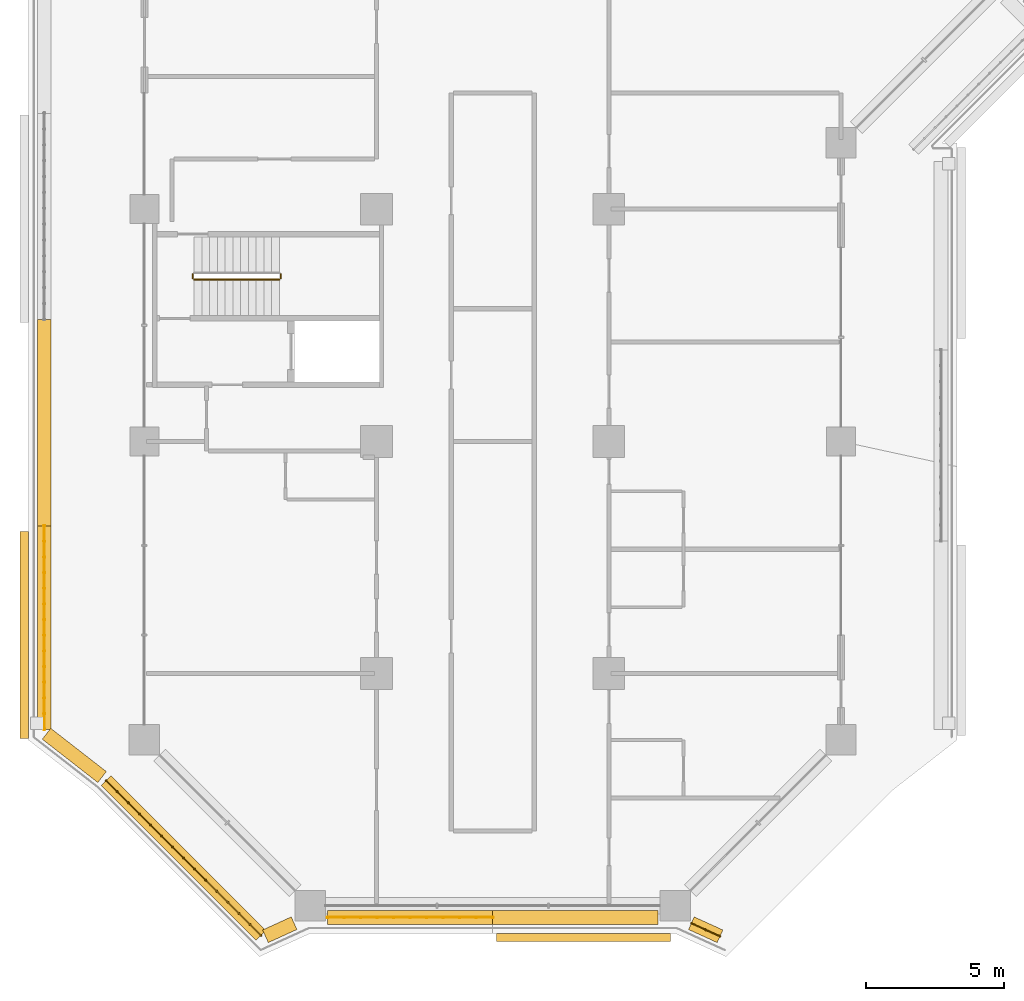
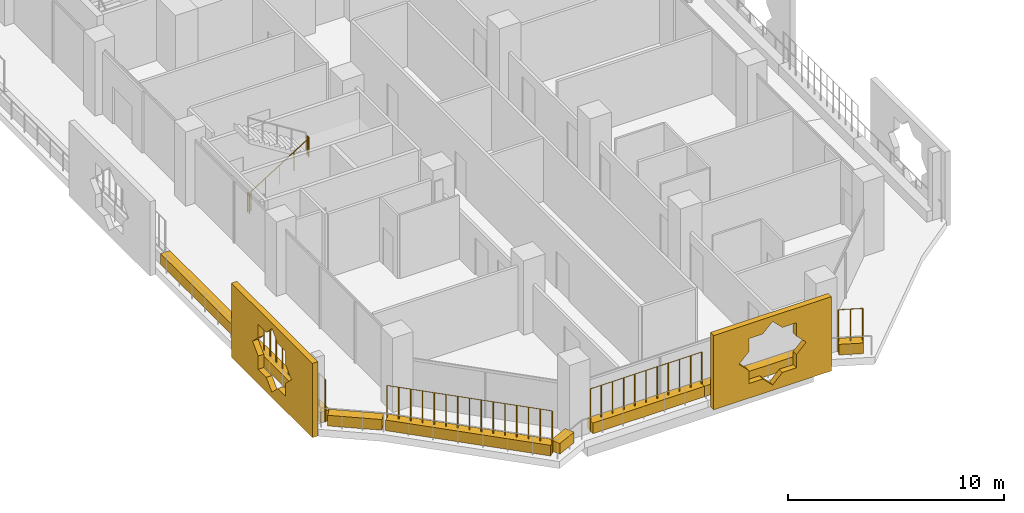
# One storey, part 19 of 25: 10 coverings, 7 railings.
"""IFC4 building model written with IfcOpenShell, lengths in metres."""

from ifc_helpers import new_model, si_unit, direction, frame, origin, origin_2d, place, context, subcontext, project, spatial, polyline, rectangle, circle, outline, extrude, material, material_profile, profile_set, type_object, element, save


model = new_model("IFC4")

# Units and contexts
model_context = context("Model", 3, precision=1e-05, world=origin(), true_north=direction((0.0, 1.0)))
body_context = subcontext(model_context, "Body", "Model", "MODEL_VIEW")
ifc_project = project(units=[si_unit("LENGTHUNIT", "METRE"), si_unit("AREAUNIT", "SQUARE_METRE"), si_unit("VOLUMEUNIT", "CUBIC_METRE"), si_unit("PLANEANGLEUNIT", "RADIAN"), si_unit("MASSUNIT", "GRAM", prefix="KILO")], contexts=[model_context])

# Site, building, storey
site_placement = place(None, origin())
site = spatial("IfcSite", under=ifc_project, at=site_placement, CompositionType="ELEMENT")
building_placement = place(site_placement, origin())
building = spatial("IfcBuilding", under=site, at=building_placement, Name="Kawkab Arch Medical Tower", CompositionType="ELEMENT")
storey_placement = place(building_placement, frame((0.0, 0.0, 124.0)))
storey = spatial("IfcBuildingStorey", under=building, at=storey_placement, Name="L28", CompositionType="ELEMENT", Elevation=124.0)

# Coverings
ifc_material_1 = material(Name="Bronze anodised aluminium mashrabiya panel, eight-point star pattern", Category="aluminium")
ifc_material_profile_1 = material_profile(ifc_material_1, outline(polyline([(-3.14990234375, -2.10009765625), (3.14990234375, -2.10009765625), (3.14990234375, 2.10009765625), (-3.14990234375, 2.10009765625), (-3.14990234375, -2.10009765625)]), holes=[polyline([(1.800048828125, 0.0), (1.272705078125, 0.527099609375), (1.272705078125, 1.272705078125), (0.527099609375, 1.272705078125), (0.0, 1.800048828125), (-0.527099609375, 1.272705078125), (-1.272705078125, 1.272705078125), (-1.272705078125, 0.527099609375), (-1.800048828125, 0.0), (-1.272705078125, -0.527099609375), (-1.272705078125, -1.272705078125), (-0.527099609375, -1.272705078125), (0.0, -1.800048828125), (0.527099609375, -1.272705078125), (1.272705078125, -1.272705078125), (1.272705078125, -0.527099609375), (1.800048828125, 0.0)])]), Name="Mashrabiya panel 6300x4200")
ifc_profile_set_1 = profile_set([ifc_material_profile_1], Name="Bronze anodised aluminium mashrabiya panel, eight-point star pattern")
covering_type_1 = type_object("IfcCoveringType", Name="Mashrabiya panel 6300 x 4200", PredefinedType="USERDEFINED", material=ifc_profile_set_1)
covering_1_placement = place(storey_placement, frame((15.881103515625, -59.800048828125, 1.699951171875), z_axis=(0.0, -1.0, 0.0), x_axis=(1.0, 0.0, 0.0)))
element("IfcCovering", 1, at=covering_1_placement, inside=storey, type_object=covering_type_1, Name="Mashrabiya panel L28.LOG-01-01.1", ObjectType="SCREEN", PredefinedType="USERDEFINED", context=body_context, shape_type="SweptSolid", body=[
    extrude(outline(polyline([(-3.14990234375, -2.10009765625), (3.14990234375, -2.10009765625), (3.14990234375, 2.10009765625), (-3.14990234375, 2.10009765625), (-3.14990234375, -2.10009765625)]), holes=[polyline([(1.800048828125, 0.0), (1.272705078125, 0.527099609375), (1.272705078125, 1.272705078125), (0.527099609375, 1.272705078125), (0.0, 1.800048828125), (-0.527099609375, 1.272705078125), (-1.272705078125, 1.272705078125), (-1.272705078125, 0.527099609375), (-1.800048828125, 0.0), (-1.272705078125, -0.527099609375), (-1.272705078125, -1.272705078125), (-0.527099609375, -1.272705078125), (0.0, -1.800048828125), (0.527099609375, -1.272705078125), (1.272705078125, -1.272705078125), (1.272705078125, -0.527099609375), (1.800048828125, 0.0)])]), origin(), (0.0, 0.0, 1.0), 0.300048828125),
])
ifc_material_2 = material(Name="Bronze anodised aluminium mashrabiya panel, eight-point star pattern", Category="aluminium")
ifc_material_profile_2 = material_profile(ifc_material_2, outline(polyline([(-3.75, -2.10009765625), (3.75, -2.10009765625), (3.75, 2.10009765625), (-3.75, 2.10009765625), (-3.75, -2.10009765625)]), holes=[polyline([(1.800048828125, 0.0), (1.272705078125, 0.527099609375), (1.272705078125, 1.272705078125), (0.527099609375, 1.272705078125), (0.0, 1.800048828125), (-0.527099609375, 1.272705078125), (-1.272705078125, 1.272705078125), (-1.272705078125, 0.527099609375), (-1.800048828125, 0.0), (-1.272705078125, -0.527099609375), (-1.272705078125, -1.272705078125), (-0.527099609375, -1.272705078125), (0.0, -1.800048828125), (0.527099609375, -1.272705078125), (1.272705078125, -1.272705078125), (1.272705078125, -0.527099609375), (1.800048828125, 0.0)])]), Name="Mashrabiya panel 7500x4200")
ifc_profile_set_2 = profile_set([ifc_material_profile_2], Name="Bronze anodised aluminium mashrabiya panel, eight-point star pattern")
covering_type_2 = type_object("IfcCoveringType", Name="Mashrabiya panel 7500 x 4200", PredefinedType="USERDEFINED", material=ifc_profile_set_2)
covering_2_placement = place(storey_placement, frame((-4.199951171875, -49.00439453125, 1.699951171875), z_axis=(-1.0, 0.0, 0.0), x_axis=(0.0, -1.0, 0.0)))
element("IfcCovering", 2, at=covering_2_placement, inside=storey, type_object=covering_type_2, Name="Mashrabiya panel L28.LOG-01-01.2", ObjectType="SCREEN", PredefinedType="USERDEFINED", context=body_context, shape_type="SweptSolid", body=[
    extrude(outline(polyline([(-3.75, -2.10009765625), (3.75, -2.10009765625), (3.75, 2.10009765625), (-3.75, 2.10009765625), (-3.75, -2.10009765625)]), holes=[polyline([(1.800048828125, 0.0), (1.272705078125, 0.527099609375), (1.272705078125, 1.272705078125), (0.527099609375, 1.272705078125), (0.0, 1.800048828125), (-0.527099609375, 1.272705078125), (-1.272705078125, 1.272705078125), (-1.272705078125, 0.527099609375), (-1.800048828125, 0.0), (-1.272705078125, -0.527099609375), (-1.272705078125, -1.272705078125), (-0.527099609375, -1.272705078125), (0.0, -1.800048828125), (0.527099609375, -1.272705078125), (1.272705078125, -1.272705078125), (1.272705078125, -0.527099609375), (1.800048828125, 0.0)])]), origin(), (0.0, 0.0, 1.0), 0.300048828125),
])
ifc_material_3 = material(Name="Planting soil in a precast trough", Category="concrete")
ifc_material_profile_3 = material_profile(ifc_material_3, rectangle(XDim=0.5, YDim=0.60009765625, at=origin_2d()), Name="Trough 500x600")
ifc_profile_set_3 = profile_set([ifc_material_profile_3], Name="Planting soil in a precast trough")
covering_type_3 = type_object("IfcCoveringType", Name="Planter trough 500 x 600", PredefinedType="USERDEFINED", material=ifc_profile_set_3)
covering_3_placement = place(storey_placement, frame((20.821044921875, -59.902099609375, 0.300048828125), z_axis=(-0.909821891123, 0.414998947508, 0.0), x_axis=(-0.414998947508, -0.909821891123, 0.0)))
element("IfcCovering", 3, at=covering_3_placement, inside=storey, type_object=covering_type_3, Name="Planter L28.LOG-01-01.1", ObjectType="PLANTER", PredefinedType="USERDEFINED", context=body_context, shape_type="SweptSolid", body=[
    extrude(rectangle(XDim=0.5, YDim=0.60009765625, at=origin_2d()), origin(), (0.0, 0.0, 1.0), 1.1376953125),
])
covering_4_placement = place(storey_placement, frame((18.570068359375, -59.219970703125, 0.300048828125), z_axis=(-1.0, 0.0, 0.0), x_axis=(0.0, -1.0, 0.0)))
element("IfcCovering", 4, at=covering_4_placement, inside=storey, type_object=covering_type_3, Name="Planter L28.LOG-01-01.2", ObjectType="PLANTER", PredefinedType="USERDEFINED", context=body_context, shape_type="SweptSolid", body=[
    extrude(rectangle(XDim=0.5, YDim=0.60009765625, at=origin_2d()), origin(), (0.0, 0.0, 1.0), 5.969970703125),
])
covering_5_placement = place(storey_placement, frame((12.60009765625, -59.219970703125, 0.300048828125), z_axis=(-1.0, 0.0, 0.0), x_axis=(0.0, -1.0, 0.0)))
element("IfcCovering", 5, at=covering_5_placement, inside=storey, type_object=covering_type_3, Name="Planter L28.LOG-01-01.3", ObjectType="PLANTER", PredefinedType="USERDEFINED", context=body_context, shape_type="SweptSolid", body=[
    extrude(rectangle(XDim=0.5, YDim=0.60009765625, at=origin_2d()), origin(), (0.0, 0.0, 1.0), 5.97021484375),
])
covering_6_placement = place(storey_placement, frame((5.4140625, -59.429931640625, 0.300048828125), z_axis=(-0.909821891123, -0.414998947508, 0.0), x_axis=(0.414998947508, -0.909821891123, 0.0)))
element("IfcCovering", 6, at=covering_6_placement, inside=storey, type_object=covering_type_3, Name="Planter L28.LOG-01-01.4", ObjectType="PLANTER", PredefinedType="USERDEFINED", context=body_context, shape_type="SweptSolid", body=[
    extrude(rectangle(XDim=0.5, YDim=0.60009765625, at=origin_2d()), origin(), (0.0, 0.0, 1.0), 1.1376953125),
])
covering_7_placement = place(storey_placement, frame((4.217041015625, -59.873046875, 0.300048828125), z_axis=(-0.707106781187, 0.707106781187, 0.0), x_axis=(-0.707106781187, -0.707106781187, 0.0)))
element("IfcCovering", 7, at=covering_7_placement, inside=storey, type_object=covering_type_3, Name="Planter L28.LOG-01-01.5", ObjectType="PLANTER", PredefinedType="USERDEFINED", context=body_context, shape_type="SweptSolid", body=[
    extrude(rectangle(XDim=0.5, YDim=0.60009765625, at=origin_2d()), origin(), (0.0, 0.0, 1.0), 7.919677734375),
])
covering_8_placement = place(storey_placement, frame((-1.531982421875, -54.14111328125, 0.300048828125), z_axis=(-0.789228258436, 0.614099956103, 0.0), x_axis=(-0.614099956103, -0.789228258436, 0.0)))
element("IfcCovering", 8, at=covering_8_placement, inside=storey, type_object=covering_type_3, Name="Planter L28.LOG-01-01.6", ObjectType="PLANTER", PredefinedType="USERDEFINED", context=body_context, shape_type="SweptSolid", body=[
    extrude(rectangle(XDim=0.5, YDim=0.60009765625, at=origin_2d()), origin(), (0.0, 0.0, 1.0), 2.545654296875),
])
covering_9_placement = place(storey_placement, frame((-3.6201171875, -52.416015625, 0.300048828125), z_axis=(0.0, 1.0, 0.0), x_axis=(-1.0, 0.0, 0.0)))
element("IfcCovering", 9, at=covering_9_placement, inside=storey, type_object=covering_type_3, Name="Planter L28.LOG-01-01.7", ObjectType="PLANTER", PredefinedType="USERDEFINED", context=body_context, shape_type="SweptSolid", body=[
    extrude(rectangle(XDim=0.5, YDim=0.60009765625, at=origin_2d()), origin(), (0.0, 0.0, 1.0), 7.361083984375),
])
covering_10_placement = place(storey_placement, frame((-3.6201171875, -45.054931640625, 0.300048828125), z_axis=(0.0, 1.0, 0.0), x_axis=(-1.0, 0.0, 0.0)))
element("IfcCovering", 10, at=covering_10_placement, inside=storey, type_object=covering_type_3, Name="Planter L28.LOG-01-01.8", ObjectType="PLANTER", PredefinedType="USERDEFINED", context=body_context, shape_type="SweptSolid", body=[
    extrude(rectangle(XDim=0.5, YDim=0.60009765625, at=origin_2d()), origin(), (0.0, 0.0, 1.0), 7.4619140625),
])

# Railings
ifc_material_4 = material(Name="Bronze anodised aluminium trellis for climbing plants", Category="aluminium")
railing_type_1 = type_object("IfcRailingType", Name="Planting trellis 2400", PredefinedType="USERDEFINED", material=ifc_material_4)
railing_1_placement = place(storey_placement, frame((20.821044921875, -59.902099609375, 0.0)))
element("IfcRailing", 11, at=railing_1_placement, inside=storey, type_object=railing_type_1, Name="Planting trellis L28.LOG-01-01.1", ObjectType="TRELLIS", PredefinedType="USERDEFINED", context=body_context, shape_type="SweptSolid", body=[
    extrude(circle(Radius=0.01513671875, at=origin_2d()), frame((0.0, 0.0, 2.384765625), z_axis=(-0.909821891123, 0.414998947508, 0.0), x_axis=(-0.414998947508, -0.909821891123, 0.0)), (0.0, 0.0, 1.0), 1.1376953125),
    extrude(circle(Radius=0.030029296875, at=origin_2d()), origin(), (0.0, 0.0, 1.0), 2.369873046875),
    extrude(circle(Radius=0.030029296875, at=origin_2d()), frame((-0.517578125, 0.236083984375, 0.0)), (0.0, 0.0, 1.0), 2.369873046875),
    extrude(circle(Radius=0.030029296875, at=origin_2d()), frame((-1.03515625, 0.47216796875, 0.0)), (0.0, 0.0, 1.0), 2.369873046875),
])
railing_2_placement = place(storey_placement, frame((12.60009765625, -59.219970703125, 0.0)))
element("IfcRailing", 12, at=railing_2_placement, inside=storey, type_object=railing_type_1, Name="Planting trellis L28.LOG-01-01.3", ObjectType="TRELLIS", PredefinedType="USERDEFINED", context=body_context, shape_type="SweptSolid", body=[
    extrude(circle(Radius=0.01513671875, at=origin_2d()), frame((0.0, 0.0, 2.384765625), z_axis=(-1.0, 0.0, 0.0), x_axis=(0.0, -1.0, 0.0)), (0.0, 0.0, 1.0), 5.97021484375),
    extrude(circle(Radius=0.030029296875, at=origin_2d()), origin(), (0.0, 0.0, 1.0), 2.369873046875),
    extrude(circle(Radius=0.030029296875, at=origin_2d()), frame((-0.596923828125, 0.0, 0.0)), (0.0, 0.0, 1.0), 2.369873046875),
    extrude(circle(Radius=0.030029296875, at=origin_2d()), frame((-1.194091796875, 0.0, 0.0)), (0.0, 0.0, 1.0), 2.369873046875),
    extrude(circle(Radius=0.030029296875, at=origin_2d()), frame((-1.791015625, 0.0, 0.0)), (0.0, 0.0, 1.0), 2.369873046875),
    extrude(circle(Radius=0.030029296875, at=origin_2d()), frame((-2.38818359375, 0.0, 0.0)), (0.0, 0.0, 1.0), 2.369873046875),
    extrude(circle(Radius=0.030029296875, at=origin_2d()), frame((-2.985107421875, 0.0, 0.0)), (0.0, 0.0, 1.0), 2.369873046875),
    extrude(circle(Radius=0.030029296875, at=origin_2d()), frame((-3.58203125, 0.0, 0.0)), (0.0, 0.0, 1.0), 2.369873046875),
    extrude(circle(Radius=0.030029296875, at=origin_2d()), frame((-4.17919921875, 0.0, 0.0)), (0.0, 0.0, 1.0), 2.369873046875),
    extrude(circle(Radius=0.030029296875, at=origin_2d()), frame((-4.776123046875, 0.0, 0.0)), (0.0, 0.0, 1.0), 2.369873046875),
    extrude(circle(Radius=0.030029296875, at=origin_2d()), frame((-5.373291015625, 0.0, 0.0)), (0.0, 0.0, 1.0), 2.369873046875),
    extrude(circle(Radius=0.030029296875, at=origin_2d()), frame((-5.97021484375, 0.0, 0.0)), (0.0, 0.0, 1.0), 2.369873046875),
])
railing_3_placement = place(storey_placement, frame((4.217041015625, -59.873046875, 0.0)))
element("IfcRailing", 13, at=railing_3_placement, inside=storey, type_object=railing_type_1, Name="Planting trellis L28.LOG-01-01.5", ObjectType="TRELLIS", PredefinedType="USERDEFINED", context=body_context, shape_type="SweptSolid", body=[
    extrude(circle(Radius=0.01513671875, at=origin_2d()), frame((0.0, 0.0, 2.384765625), z_axis=(-0.707106781187, 0.707106781187, 0.0), x_axis=(-0.707106781187, -0.707106781187, 0.0)), (0.0, 0.0, 1.0), 7.919677734375),
    extrude(circle(Radius=0.030029296875, at=origin_2d()), origin(), (0.0, 0.0, 1.0), 2.369873046875),
    extrude(circle(Radius=0.030029296875, at=origin_2d()), frame((-0.39990234375, 0.39990234375, 0.0)), (0.0, 0.0, 1.0), 2.369873046875),
    extrude(circle(Radius=0.030029296875, at=origin_2d()), frame((-0.800048828125, 0.800048828125, 0.0)), (0.0, 0.0, 1.0), 2.369873046875),
    extrude(circle(Radius=0.030029296875, at=origin_2d()), frame((-1.199951171875, 1.199951171875, 0.0)), (0.0, 0.0, 1.0), 2.369873046875),
    extrude(circle(Radius=0.030029296875, at=origin_2d()), frame((-1.60009765625, 1.60009765625, 0.0)), (0.0, 0.0, 1.0), 2.369873046875),
    extrude(circle(Radius=0.030029296875, at=origin_2d()), frame((-2.0, 2.0, 0.0)), (0.0, 0.0, 1.0), 2.369873046875),
    extrude(circle(Radius=0.030029296875, at=origin_2d()), frame((-2.400146484375, 2.400146484375, 0.0)), (0.0, 0.0, 1.0), 2.369873046875),
    extrude(circle(Radius=0.030029296875, at=origin_2d()), frame((-2.800048828125, 2.800048828125, 0.0)), (0.0, 0.0, 1.0), 2.369873046875),
    extrude(circle(Radius=0.030029296875, at=origin_2d()), frame((-3.199951171875, 3.199951171875, 0.0)), (0.0, 0.0, 1.0), 2.369873046875),
    extrude(circle(Radius=0.030029296875, at=origin_2d()), frame((-3.60009765625, 3.60009765625, 0.0)), (0.0, 0.0, 1.0), 2.369873046875),
    extrude(circle(Radius=0.030029296875, at=origin_2d()), frame((-4.0, 4.0, 0.0)), (0.0, 0.0, 1.0), 2.369873046875),
    extrude(circle(Radius=0.030029296875, at=origin_2d()), frame((-4.400146484375, 4.400146484375, 0.0)), (0.0, 0.0, 1.0), 2.369873046875),
    extrude(circle(Radius=0.030029296875, at=origin_2d()), frame((-4.800048828125, 4.800048828125, 0.0)), (0.0, 0.0, 1.0), 2.369873046875),
    extrude(circle(Radius=0.030029296875, at=origin_2d()), frame((-5.2001953125, 5.2001953125, 0.0)), (0.0, 0.0, 1.0), 2.369873046875),
    extrude(circle(Radius=0.030029296875, at=origin_2d()), frame((-5.60009765625, 5.60009765625, 0.0)), (0.0, 0.0, 1.0), 2.369873046875),
])
railing_4_placement = place(storey_placement, frame((-3.6201171875, -52.416015625, 0.0)))
element("IfcRailing", 14, at=railing_4_placement, inside=storey, type_object=railing_type_1, Name="Planting trellis L28.LOG-01-01.7", ObjectType="TRELLIS", PredefinedType="USERDEFINED", context=body_context, shape_type="SweptSolid", body=[
    extrude(circle(Radius=0.01513671875, at=origin_2d()), frame((0.0, 0.0, 2.384765625), z_axis=(0.0, 1.0, 0.0), x_axis=(-1.0, 0.0, 0.0)), (0.0, 0.0, 1.0), 7.361083984375),
    extrude(circle(Radius=0.030029296875, at=origin_2d()), origin(), (0.0, 0.0, 1.0), 2.369873046875),
    extrude(circle(Radius=0.030029296875, at=origin_2d()), frame((0.0, 0.566162109375, 0.0)), (0.0, 0.0, 1.0), 2.369873046875),
    extrude(circle(Radius=0.030029296875, at=origin_2d()), frame((0.0, 1.132568359375, 0.0)), (0.0, 0.0, 1.0), 2.369873046875),
    extrude(circle(Radius=0.030029296875, at=origin_2d()), frame((0.0, 1.69873046875, 0.0)), (0.0, 0.0, 1.0), 2.369873046875),
    extrude(circle(Radius=0.030029296875, at=origin_2d()), frame((0.0, 2.264892578125, 0.0)), (0.0, 0.0, 1.0), 2.369873046875),
    extrude(circle(Radius=0.030029296875, at=origin_2d()), frame((0.0, 2.831298828125, 0.0)), (0.0, 0.0, 1.0), 2.369873046875),
    extrude(circle(Radius=0.030029296875, at=origin_2d()), frame((0.0, 3.3974609375, 0.0)), (0.0, 0.0, 1.0), 2.369873046875),
    extrude(circle(Radius=0.030029296875, at=origin_2d()), frame((0.0, 3.963623046875, 0.0)), (0.0, 0.0, 1.0), 2.369873046875),
    extrude(circle(Radius=0.030029296875, at=origin_2d()), frame((0.0, 4.52978515625, 0.0)), (0.0, 0.0, 1.0), 2.369873046875),
    extrude(circle(Radius=0.030029296875, at=origin_2d()), frame((0.0, 5.09619140625, 0.0)), (0.0, 0.0, 1.0), 2.369873046875),
    extrude(circle(Radius=0.030029296875, at=origin_2d()), frame((0.0, 5.662353515625, 0.0)), (0.0, 0.0, 1.0), 2.369873046875),
    extrude(circle(Radius=0.030029296875, at=origin_2d()), frame((0.0, 6.228515625, 0.0)), (0.0, 0.0, 1.0), 2.369873046875),
    extrude(circle(Radius=0.030029296875, at=origin_2d()), frame((0.0, 6.794921875, 0.0)), (0.0, 0.0, 1.0), 2.369873046875),
    extrude(circle(Radius=0.030029296875, at=origin_2d()), frame((0.0, 7.361083984375, 0.0)), (0.0, 0.0, 1.0), 2.369873046875),
])
ifc_material_5 = material(Name="Stainless steel", Category="steel")
railing_type_2 = type_object("IfcRailingType", Name="Stair guard 1100", PredefinedType="GUARDRAIL", material=ifc_material_5)
railing_5_placement = place(storey_placement, frame((1.800048828125, -36.14990234375, 0.175048828125)))
element("IfcRailing", 15, at=railing_5_placement, inside=storey, type_object=railing_type_2, Name="L28 ST6 stair guard 1", PredefinedType="GUARDRAIL", context=body_context, shape_type="SweptSolid", body=[
    extrude(circle(Radius=0.02392578125, at=origin_2d()), frame((0.0, 0.0, 1.076171875), z_axis=(0.847979421464, 0.0, 0.530029150871), x_axis=(0.0, 1.0, 0.0)), (0.0, 0.0, 1.0), 3.632080078125),
    extrude(circle(Radius=0.02099609375, at=origin_2d()), origin(), (0.0, 0.0, 1.0), 1.052001953125),
    extrude(circle(Radius=0.02099609375, at=origin_2d()), frame((0.77001953125, 0.0, 0.481201171875)), (0.0, 0.0, 1.0), 1.052001953125),
    extrude(circle(Radius=0.02099609375, at=origin_2d()), frame((1.5400390625, 0.0, 0.96240234375)), (0.0, 0.0, 1.0), 1.052001953125),
    extrude(circle(Radius=0.02099609375, at=origin_2d()), frame((2.309814453125, 0.0, 1.44384765625)), (0.0, 0.0, 1.0), 1.052001953125),
    extrude(circle(Radius=0.02099609375, at=origin_2d()), frame((3.079833984375, 0.0, 1.925048828125)), (0.0, 0.0, 1.0), 1.052001953125),
])
for number, where, name in (
    (16, (4.929931640625, -36.10009765625, 2.10009765625), "L28 ST6 stair guard 2"),
    (17, (1.75, -36.10009765625, 0.0), "L28 ST6 stair guard 4"),
):
    element("IfcRailing", number, at=place(storey_placement, frame(where)), inside=storey, type_object=railing_type_2, Name=name, PredefinedType="GUARDRAIL", context=body_context, shape_type="SweptSolid", body=[
        extrude(circle(Radius=0.02392578125, at=origin_2d()), frame((0.0, 0.0, 1.076171875), z_axis=(0.0, 1.0, 0.0), x_axis=(-1.0, 0.0, 0.0)), (0.0, 0.0, 1.0), 0.150146484375),
        extrude(circle(Radius=0.02099609375, at=origin_2d()), origin(), (0.0, 0.0, 1.0), 1.052001953125),
        extrude(circle(Radius=0.02099609375, at=origin_2d()), frame((0.0, 0.150146484375, 0.0)), (0.0, 0.0, 1.0), 1.052001953125),
    ])

save(model, "model.ifc")
